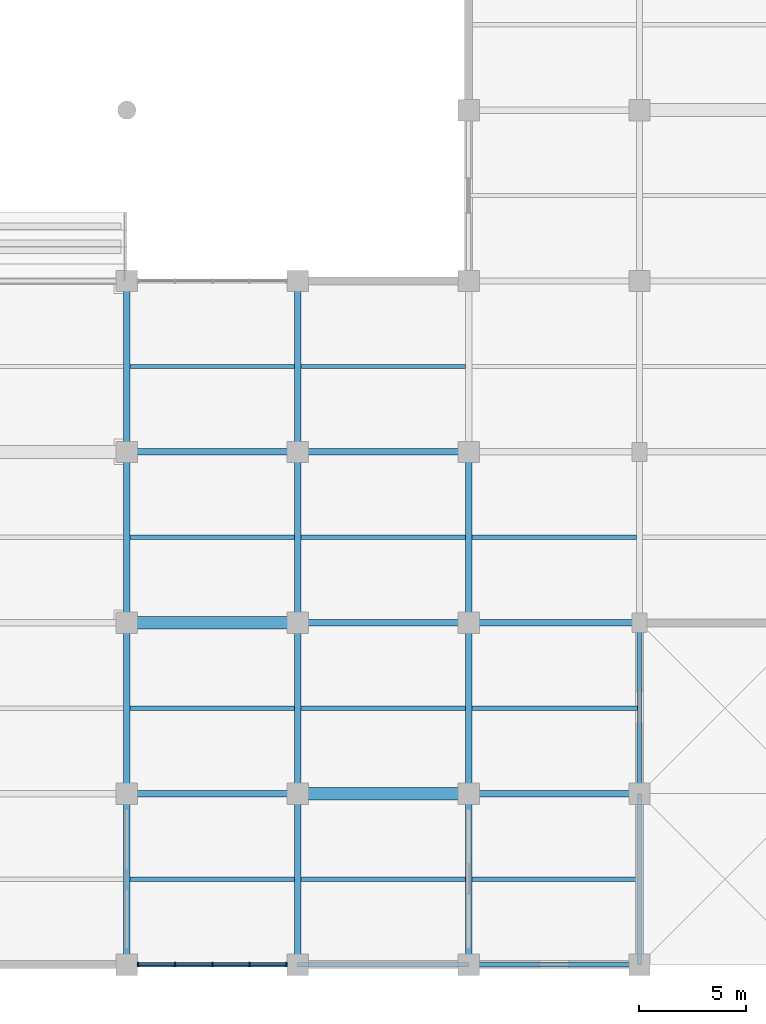
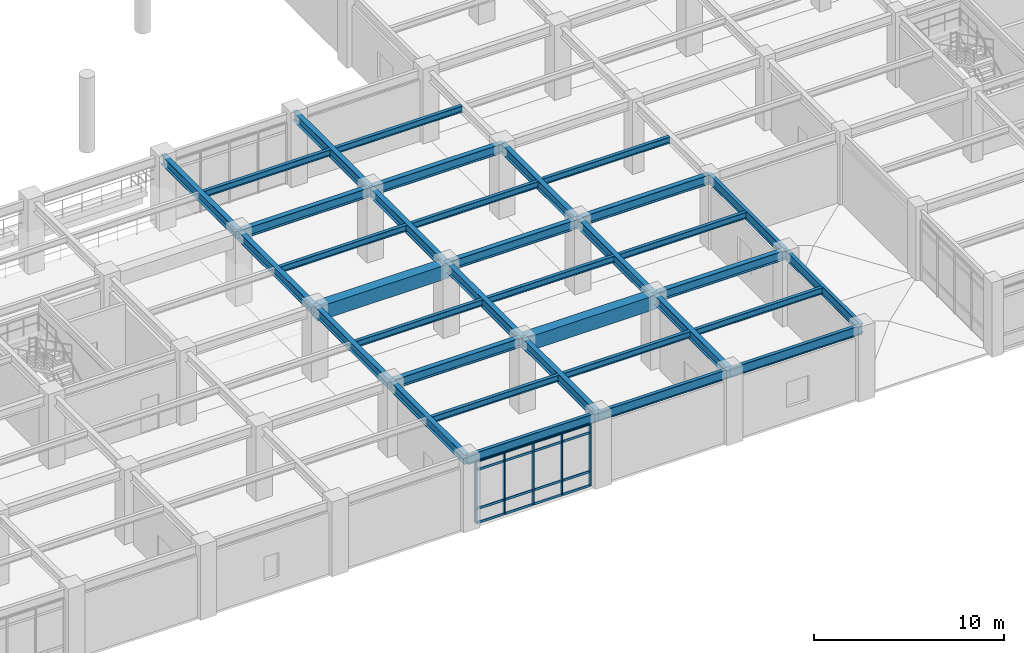
# One storey, part 25 of 117: 35 beams, 21 members, 1 element without a shape of its own.
"""IFC4 building model written with IfcOpenShell, lengths in metres."""

from ifc_helpers import new_model, si_unit, direction, frame, origin, origin_2d, place, context, subcontext, project, spatial, rectangle, i_section, extrude, material, layer, layer_set, material_profile, profile_set, type_object, element, aggregate, save


model = new_model("IFC4")

# Units and contexts
model_context = context("Model", 3, precision=1e-05, world=origin(), true_north=direction((0.0, 1.0)))
body_context = subcontext(model_context, "Body", "Model", "MODEL_VIEW")
ifc_project = project(units=[si_unit("LENGTHUNIT", "METRE"), si_unit("AREAUNIT", "SQUARE_METRE"), si_unit("VOLUMEUNIT", "CUBIC_METRE"), si_unit("PLANEANGLEUNIT", "RADIAN"), si_unit("MASSUNIT", "GRAM", prefix="KILO")], contexts=[model_context])

# Site, building, storey
site_placement = place(None, origin())
site = spatial("IfcSite", under=ifc_project, at=site_placement, CompositionType="ELEMENT")
building_placement = place(site_placement, origin())
building = spatial("IfcBuilding", under=site, at=building_placement, Name="Haebicheon Civic Stadium", CompositionType="ELEMENT")
storey_placement = place(building_placement, frame((0.0, 0.0, 4.800048828125)))
storey = spatial("IfcBuildingStorey", under=building, at=storey_placement, Name="L02", CompositionType="ELEMENT", Elevation=4.800048828125)

# Beams
ifc_material_1 = material(Name="Concrete C40/50", Category="concrete")
ifc_material_profile_1 = material_profile(ifc_material_1, rectangle(XDim=0.60009765625, YDim=0.89990234375, at=origin_2d()), Name="RC-BM-600x900")
ifc_profile_set_1 = profile_set([ifc_material_profile_1], Name="Concrete C40/50")
beam_type_1 = type_object("IfcBeamType", Name="BM-RC-600x900", PredefinedType="BEAM", material=ifc_profile_set_1)
for number, where, z_axis, x_axis, name in (
    (1, (128.0, 16.0, 4.070068359375), (1.0, 0.0, 0.0), (0.0, 1.0, 0.0), "L02 beam C/17-18"),
    (2, (136.0, 8.0, 4.1298828125), (1.0, 0.0, 0.0), (0.0, 1.0, 0.0), "L02 beam B/18-19"),
):
    element("IfcBeam", number, at=place(storey_placement, frame(where, z_axis=z_axis, x_axis=x_axis)), inside=storey, type_object=beam_type_1, material=ifc_profile_set_1, Name=name, PredefinedType="BEAM", context=body_context, shape_type="SweptSolid", body=[
        extrude(rectangle(XDim=0.60009765625, YDim=0.89990234375, at=origin_2d()), origin(), (0.0, 0.0, 1.0), 8.0),
    ])
ifc_material_2 = material(Name="Steel SM355 (S355)", Category="steel")
ifc_material_profile_2 = material_profile(ifc_material_2, i_section(OverallWidth=0.300048828125, OverallDepth=0.60009765625, WebThickness=0.011962890625, FlangeThickness=0.02001953125, at=origin_2d()), Name="H-600x300x12x20")
ifc_profile_set_2 = profile_set([ifc_material_profile_2], Name="Steel SM355 (S355)")
beam_type_2 = type_object("IfcBeamType", Name="BM-ST-H600A", PredefinedType="BEAM", material=ifc_profile_set_2)
for number, where, z_axis, x_axis, name in (
    (3, (128.0, 0.0, 4.280029296875), (0.0, 1.0, 0.0), (-1.0, 0.0, 0.0), "L02 girder 17/A-B"),
    (4, (128.0, 8.0, 4.280029296875), (0.0, 1.0, 0.0), (-1.0, 0.0, 0.0), "L02 girder 17/B-C"),
    (5, (128.0, 16.0, 4.219970703125), (0.0, 1.0, 0.0), (-1.0, 0.0, 0.0), "L02 girder 17/C-D"),
    (6, (128.0, 24.0, 4.219970703125), (0.0, 1.0, 0.0), (-1.0, 0.0, 0.0), "L02 girder 17/D-E"),
    (7, (136.0, 0.0, 4.280029296875), (0.0, 1.0, 0.0), (-1.0, 0.0, 0.0), "L02 girder 18/A-B"),
    (8, (136.0, 8.0, 4.280029296875), (0.0, 1.0, 0.0), (-1.0, 0.0, 0.0), "L02 girder 18/B-C"),
    (9, (136.0, 16.0, 4.219970703125), (0.0, 1.0, 0.0), (-1.0, 0.0, 0.0), "L02 girder 18/C-D"),
    (10, (136.0, 24.0, 4.219970703125), (0.0, 1.0, 0.0), (-1.0, 0.0, 0.0), "L02 girder 18/D-E"),
    (11, (144.0, 0.0, 4.280029296875), (0.0, 1.0, 0.0), (-1.0, 0.0, 0.0), "L02 girder 19/A-B"),
    (12, (144.0, 8.0, 4.280029296875), (0.0, 1.0, 0.0), (-1.0, 0.0, 0.0), "L02 girder 19/B-C"),
    (13, (144.0, 16.0, 4.219970703125), (0.0, 1.0, 0.0), (-1.0, 0.0, 0.0), "L02 girder 19/C-D"),
    (14, (128.0, 8.0, 4.280029296875), (1.0, 0.0, 0.0), (0.0, 1.0, 0.0), "L02 beam B/17-18"),
    (15, (128.0, 24.0, 4.219970703125), (1.0, 0.0, 0.0), (0.0, 1.0, 0.0), "L02 beam D/17-18"),
    (16, (136.0, 16.0, 4.219970703125), (1.0, 0.0, 0.0), (0.0, 1.0, 0.0), "L02 beam C/18-19"),
    (17, (136.0, 24.0, 4.219970703125), (1.0, 0.0, 0.0), (0.0, 1.0, 0.0), "L02 beam D/18-19"),
    (18, (144.0, 8.0, 4.280029296875), (1.0, 0.0, 0.0), (0.0, 1.0, 0.0), "L02 beam B/19-20"),
    (19, (144.0, 16.0, 4.280029296875), (1.0, 0.0, 0.0), (0.0, 1.0, 0.0), "L02 beam C/19-20"),
):
    element("IfcBeam", number, at=place(storey_placement, frame(where, z_axis=z_axis, x_axis=x_axis)), inside=storey, type_object=beam_type_2, material=ifc_profile_set_2, Name=name, PredefinedType="BEAM", context=body_context, shape_type="SweptSolid", body=[
        extrude(i_section(OverallWidth=0.300048828125, OverallDepth=0.60009765625, WebThickness=0.011962890625, FlangeThickness=0.02001953125, at=origin_2d()), origin(), (0.0, 0.0, 1.0), 8.0),
    ])

# Curtain wall, members
ifc_material_3 = material(Name="Anodised aluminium and laminated glass", Category="aluminium")
ifc_layer = layer(ifc_material_3, 0.179931640625, Name="Anodised aluminium and laminated glass")
ifc_layer_set = layer_set([ifc_layer], Name="Anodised aluminium and laminated glass")
curtain_wall_type = type_object("IfcCurtainWallType", Name="CW-7000x3950", PredefinedType="NOTDEFINED", material=ifc_layer_set)
curtain_wall_placement = place(storey_placement, origin())
curtain_wall = element("IfcCurtainWall", 20, at=curtain_wall_placement, inside=storey, type_object=curtain_wall_type, material=ifc_layer_set, Name="L02 unitised curtain wall 049", PredefinedType="NOTDEFINED")
ifc_material_4 = material(Name="Anodised aluminium 6063-T6", Category="aluminium")
ifc_material_profile_3 = material_profile(ifc_material_4, rectangle(XDim=0.070068359375, YDim=0.199951171875, at=origin_2d()), Name="ALU-MULL-70x200")
ifc_profile_set_3 = profile_set([ifc_material_profile_3], Name="Anodised aluminium 6063-T6")
member_type_1 = type_object("IfcMemberType", Name="CWM-200x70", PredefinedType="MULLION", material=ifc_profile_set_3)
member_1_placement = place(storey_placement, frame((128.534912109375, 0.0, 0.0), z_axis=(0.0, 0.0, 1.0), x_axis=(1.0, 0.0, 0.0)))
member_1 = element("IfcMember", 21, at=member_1_placement, type_object=member_type_1, material=ifc_profile_set_3, Name="CW-L02-049 vertical mullion 1", PredefinedType="MULLION", context=body_context, shape_type="SweptSolid", body=[
    extrude(rectangle(XDim=0.070068359375, YDim=0.199951171875, at=origin_2d()), origin(), (0.0, 0.0, 1.0), 3.949951171875),
])
member_2_placement = place(storey_placement, frame((130.25, 0.0, 0.0), z_axis=(0.0, 0.0, 1.0), x_axis=(1.0, 0.0, 0.0)))
member_2 = element("IfcMember", 22, at=member_2_placement, type_object=member_type_1, material=ifc_profile_set_3, Name="CW-L02-049 vertical mullion 2", PredefinedType="MULLION", context=body_context, shape_type="SweptSolid", body=[
    extrude(rectangle(XDim=0.070068359375, YDim=0.199951171875, at=origin_2d()), origin(), (0.0, 0.0, 1.0), 3.949951171875),
])
member_3_placement = place(storey_placement, frame((132.0, 0.0, 0.0), z_axis=(0.0, 0.0, 1.0), x_axis=(1.0, 0.0, 0.0)))
member_3 = element("IfcMember", 23, at=member_3_placement, type_object=member_type_1, material=ifc_profile_set_3, Name="CW-L02-049 vertical mullion 3", PredefinedType="MULLION", context=body_context, shape_type="SweptSolid", body=[
    extrude(rectangle(XDim=0.070068359375, YDim=0.199951171875, at=origin_2d()), origin(), (0.0, 0.0, 1.0), 3.949951171875),
])
member_4_placement = place(storey_placement, frame((133.75, 0.0, 0.0), z_axis=(0.0, 0.0, 1.0), x_axis=(1.0, 0.0, 0.0)))
member_4 = element("IfcMember", 24, at=member_4_placement, type_object=member_type_1, material=ifc_profile_set_3, Name="CW-L02-049 vertical mullion 4", PredefinedType="MULLION", context=body_context, shape_type="SweptSolid", body=[
    extrude(rectangle(XDim=0.070068359375, YDim=0.199951171875, at=origin_2d()), origin(), (0.0, 0.0, 1.0), 3.949951171875),
])
member_5_placement = place(storey_placement, frame((135.465087890625, 0.0, 0.0), z_axis=(0.0, 0.0, 1.0), x_axis=(1.0, 0.0, 0.0)))
member_5 = element("IfcMember", 25, at=member_5_placement, type_object=member_type_1, material=ifc_profile_set_3, Name="CW-L02-049 vertical mullion 5", PredefinedType="MULLION", context=body_context, shape_type="SweptSolid", body=[
    extrude(rectangle(XDim=0.070068359375, YDim=0.199951171875, at=origin_2d()), origin(), (0.0, 0.0, 1.0), 3.949951171875),
])
ifc_material_5 = material(Name="Anodised aluminium 6063-T6", Category="aluminium")
ifc_material_profile_4 = material_profile(ifc_material_5, rectangle(XDim=0.070068359375, YDim=0.14990234375, at=origin_2d()), Name="ALU-TRAN-70x150")
ifc_profile_set_4 = profile_set([ifc_material_profile_4], Name="Anodised aluminium 6063-T6")
member_type_2 = type_object("IfcMemberType", Name="CWT-150x70", PredefinedType="NOTDEFINED", material=ifc_profile_set_4)
member_6_placement = place(storey_placement, frame((128.570068359375, 0.0, 0.0), z_axis=(1.0, 0.0, 0.0), x_axis=(0.0, 1.0, 0.0)))
member_6 = element("IfcMember", 26, at=member_6_placement, type_object=member_type_2, material=ifc_profile_set_4, Name="CW-L02-049 horizontal transom 1.1", ObjectType="TRANSOM", PredefinedType="USERDEFINED", context=body_context, shape_type="SweptSolid", body=[
    extrude(rectangle(XDim=0.070068359375, YDim=0.14990234375, at=origin_2d()), origin(), (0.0, 0.0, 1.0), 1.64501953125),
])
member_7_placement = place(storey_placement, frame((128.570068359375, 0.0, 0.89990234375), z_axis=(1.0, 0.0, 0.0), x_axis=(0.0, 1.0, 0.0)))
member_7 = element("IfcMember", 27, at=member_7_placement, type_object=member_type_2, material=ifc_profile_set_4, Name="CW-L02-049 horizontal transom 1.2", ObjectType="TRANSOM", PredefinedType="USERDEFINED", context=body_context, shape_type="SweptSolid", body=[
    extrude(rectangle(XDim=0.070068359375, YDim=0.14990234375, at=origin_2d()), origin(), (0.0, 0.0, 1.0), 1.64501953125),
])
member_8_placement = place(storey_placement, frame((128.570068359375, 0.0, 3.39990234375), z_axis=(1.0, 0.0, 0.0), x_axis=(0.0, 1.0, 0.0)))
member_8 = element("IfcMember", 28, at=member_8_placement, type_object=member_type_2, material=ifc_profile_set_4, Name="CW-L02-049 horizontal transom 1.3", ObjectType="TRANSOM", PredefinedType="USERDEFINED", context=body_context, shape_type="SweptSolid", body=[
    extrude(rectangle(XDim=0.070068359375, YDim=0.14990234375, at=origin_2d()), origin(), (0.0, 0.0, 1.0), 1.64501953125),
])
member_9_placement = place(storey_placement, frame((128.570068359375, 0.0, 3.949951171875), z_axis=(1.0, 0.0, 0.0), x_axis=(0.0, 1.0, 0.0)))
member_9 = element("IfcMember", 29, at=member_9_placement, type_object=member_type_2, material=ifc_profile_set_4, Name="CW-L02-049 horizontal transom 1.4", ObjectType="TRANSOM", PredefinedType="USERDEFINED", context=body_context, shape_type="SweptSolid", body=[
    extrude(rectangle(XDim=0.070068359375, YDim=0.14990234375, at=origin_2d()), origin(), (0.0, 0.0, 1.0), 1.64501953125),
])
member_10_placement = place(storey_placement, frame((130.284912109375, 0.0, 0.0), z_axis=(1.0, 0.0, 0.0), x_axis=(0.0, 1.0, 0.0)))
member_10 = element("IfcMember", 30, at=member_10_placement, type_object=member_type_2, material=ifc_profile_set_4, Name="CW-L02-049 horizontal transom 2.1", ObjectType="TRANSOM", PredefinedType="USERDEFINED", context=body_context, shape_type="SweptSolid", body=[
    extrude(rectangle(XDim=0.070068359375, YDim=0.14990234375, at=origin_2d()), origin(), (0.0, 0.0, 1.0), 1.68017578125),
])
member_11_placement = place(storey_placement, frame((130.284912109375, 0.0, 0.89990234375), z_axis=(1.0, 0.0, 0.0), x_axis=(0.0, 1.0, 0.0)))
member_11 = element("IfcMember", 31, at=member_11_placement, type_object=member_type_2, material=ifc_profile_set_4, Name="CW-L02-049 horizontal transom 2.2", ObjectType="TRANSOM", PredefinedType="USERDEFINED", context=body_context, shape_type="SweptSolid", body=[
    extrude(rectangle(XDim=0.070068359375, YDim=0.14990234375, at=origin_2d()), origin(), (0.0, 0.0, 1.0), 1.68017578125),
])
member_12_placement = place(storey_placement, frame((130.284912109375, 0.0, 3.39990234375), z_axis=(1.0, 0.0, 0.0), x_axis=(0.0, 1.0, 0.0)))
member_12 = element("IfcMember", 32, at=member_12_placement, type_object=member_type_2, material=ifc_profile_set_4, Name="CW-L02-049 horizontal transom 2.3", ObjectType="TRANSOM", PredefinedType="USERDEFINED", context=body_context, shape_type="SweptSolid", body=[
    extrude(rectangle(XDim=0.070068359375, YDim=0.14990234375, at=origin_2d()), origin(), (0.0, 0.0, 1.0), 1.68017578125),
])
member_13_placement = place(storey_placement, frame((130.284912109375, 0.0, 3.949951171875), z_axis=(1.0, 0.0, 0.0), x_axis=(0.0, 1.0, 0.0)))
member_13 = element("IfcMember", 33, at=member_13_placement, type_object=member_type_2, material=ifc_profile_set_4, Name="CW-L02-049 horizontal transom 2.4", ObjectType="TRANSOM", PredefinedType="USERDEFINED", context=body_context, shape_type="SweptSolid", body=[
    extrude(rectangle(XDim=0.070068359375, YDim=0.14990234375, at=origin_2d()), origin(), (0.0, 0.0, 1.0), 1.68017578125),
])
member_14_placement = place(storey_placement, frame((132.034912109375, 0.0, 0.0), z_axis=(1.0, 0.0, 0.0), x_axis=(0.0, 1.0, 0.0)))
member_14 = element("IfcMember", 34, at=member_14_placement, type_object=member_type_2, material=ifc_profile_set_4, Name="CW-L02-049 horizontal transom 3.1", ObjectType="TRANSOM", PredefinedType="USERDEFINED", context=body_context, shape_type="SweptSolid", body=[
    extrude(rectangle(XDim=0.070068359375, YDim=0.14990234375, at=origin_2d()), origin(), (0.0, 0.0, 1.0), 1.68017578125),
])
member_15_placement = place(storey_placement, frame((132.034912109375, 0.0, 0.89990234375), z_axis=(1.0, 0.0, 0.0), x_axis=(0.0, 1.0, 0.0)))
member_15 = element("IfcMember", 35, at=member_15_placement, type_object=member_type_2, material=ifc_profile_set_4, Name="CW-L02-049 horizontal transom 3.2", ObjectType="TRANSOM", PredefinedType="USERDEFINED", context=body_context, shape_type="SweptSolid", body=[
    extrude(rectangle(XDim=0.070068359375, YDim=0.14990234375, at=origin_2d()), origin(), (0.0, 0.0, 1.0), 1.68017578125),
])
member_16_placement = place(storey_placement, frame((132.034912109375, 0.0, 3.39990234375), z_axis=(1.0, 0.0, 0.0), x_axis=(0.0, 1.0, 0.0)))
member_16 = element("IfcMember", 36, at=member_16_placement, type_object=member_type_2, material=ifc_profile_set_4, Name="CW-L02-049 horizontal transom 3.3", ObjectType="TRANSOM", PredefinedType="USERDEFINED", context=body_context, shape_type="SweptSolid", body=[
    extrude(rectangle(XDim=0.070068359375, YDim=0.14990234375, at=origin_2d()), origin(), (0.0, 0.0, 1.0), 1.68017578125),
])
member_17_placement = place(storey_placement, frame((132.034912109375, 0.0, 3.949951171875), z_axis=(1.0, 0.0, 0.0), x_axis=(0.0, 1.0, 0.0)))
member_17 = element("IfcMember", 37, at=member_17_placement, type_object=member_type_2, material=ifc_profile_set_4, Name="CW-L02-049 horizontal transom 3.4", ObjectType="TRANSOM", PredefinedType="USERDEFINED", context=body_context, shape_type="SweptSolid", body=[
    extrude(rectangle(XDim=0.070068359375, YDim=0.14990234375, at=origin_2d()), origin(), (0.0, 0.0, 1.0), 1.68017578125),
])
member_18_placement = place(storey_placement, frame((133.784912109375, 0.0, 0.0), z_axis=(1.0, 0.0, 0.0), x_axis=(0.0, 1.0, 0.0)))
member_18 = element("IfcMember", 38, at=member_18_placement, type_object=member_type_2, material=ifc_profile_set_4, Name="CW-L02-049 horizontal transom 4.1", ObjectType="TRANSOM", PredefinedType="USERDEFINED", context=body_context, shape_type="SweptSolid", body=[
    extrude(rectangle(XDim=0.070068359375, YDim=0.14990234375, at=origin_2d()), origin(), (0.0, 0.0, 1.0), 1.64501953125),
])
member_19_placement = place(storey_placement, frame((133.784912109375, 0.0, 0.89990234375), z_axis=(1.0, 0.0, 0.0), x_axis=(0.0, 1.0, 0.0)))
member_19 = element("IfcMember", 39, at=member_19_placement, type_object=member_type_2, material=ifc_profile_set_4, Name="CW-L02-049 horizontal transom 4.2", ObjectType="TRANSOM", PredefinedType="USERDEFINED", context=body_context, shape_type="SweptSolid", body=[
    extrude(rectangle(XDim=0.070068359375, YDim=0.14990234375, at=origin_2d()), origin(), (0.0, 0.0, 1.0), 1.64501953125),
])
member_20_placement = place(storey_placement, frame((133.784912109375, 0.0, 3.39990234375), z_axis=(1.0, 0.0, 0.0), x_axis=(0.0, 1.0, 0.0)))
member_20 = element("IfcMember", 40, at=member_20_placement, type_object=member_type_2, material=ifc_profile_set_4, Name="CW-L02-049 horizontal transom 4.3", ObjectType="TRANSOM", PredefinedType="USERDEFINED", context=body_context, shape_type="SweptSolid", body=[
    extrude(rectangle(XDim=0.070068359375, YDim=0.14990234375, at=origin_2d()), origin(), (0.0, 0.0, 1.0), 1.64501953125),
])
member_21_placement = place(storey_placement, frame((133.784912109375, 0.0, 3.949951171875), z_axis=(1.0, 0.0, 0.0), x_axis=(0.0, 1.0, 0.0)))
member_21 = element("IfcMember", 41, at=member_21_placement, type_object=member_type_2, material=ifc_profile_set_4, Name="CW-L02-049 horizontal transom 4.4", ObjectType="TRANSOM", PredefinedType="USERDEFINED", context=body_context, shape_type="SweptSolid", body=[
    extrude(rectangle(XDim=0.070068359375, YDim=0.14990234375, at=origin_2d()), origin(), (0.0, 0.0, 1.0), 1.64501953125),
])
aggregate(curtain_wall, [member_1, member_2, member_3, member_4, member_5, member_6, member_7, member_8, member_9, member_10, member_11, member_12, member_13, member_14, member_15, member_16, member_17, member_18, member_19, member_20, member_21])

# Beams
ifc_material_6 = material(Name="Steel SM355 (S355)", Category="steel")
ifc_material_profile_5 = material_profile(ifc_material_6, i_section(OverallWidth=0.199951171875, OverallDepth=0.39990234375, WebThickness=0.008056640625, FlangeThickness=0.012939453125, at=origin_2d()), Name="H-400x200x8x13")
ifc_profile_set_5 = profile_set([ifc_material_profile_5], Name="Steel SM355 (S355)")
beam_type_3 = type_object("IfcBeamType", Name="JST-ST-H400", PredefinedType="JOIST", material=ifc_profile_set_5)
for number, where, z_axis, x_axis, name in (
    (42, (128.14990234375, 4.0, 4.3798828125), (1.0, 0.0, 0.0), (0.0, 1.0, 0.0), "L02 secondary joist 16-00"),
    (43, (128.14990234375, 12.0, 4.3798828125), (1.0, 0.0, 0.0), (0.0, 1.0, 0.0), "L02 secondary joist 16-01"),
    (44, (128.14990234375, 20.0, 4.320068359375), (1.0, 0.0, 0.0), (0.0, 1.0, 0.0), "L02 secondary joist 16-02"),
    (45, (128.14990234375, 28.0, 4.320068359375), (1.0, 0.0, 0.0), (0.0, 1.0, 0.0), "L02 secondary joist 16-03"),
    (46, (136.14990234375, 4.0, 4.3798828125), (1.0, 0.0, 0.0), (0.0, 1.0, 0.0), "L02 secondary joist 17-00"),
    (47, (136.14990234375, 12.0, 4.3798828125), (1.0, 0.0, 0.0), (0.0, 1.0, 0.0), "L02 secondary joist 17-01"),
    (48, (136.14990234375, 20.0, 4.320068359375), (1.0, 0.0, 0.0), (0.0, 1.0, 0.0), "L02 secondary joist 17-02"),
    (49, (136.14990234375, 28.0, 4.320068359375), (1.0, 0.0, 0.0), (0.0, 1.0, 0.0), "L02 secondary joist 17-03"),
):
    element("IfcBeam", number, at=place(storey_placement, frame(where, z_axis=z_axis, x_axis=x_axis)), inside=storey, type_object=beam_type_3, material=ifc_profile_set_5, Name=name, PredefinedType="JOIST", context=body_context, shape_type="SweptSolid", body=[
        extrude(i_section(OverallWidth=0.199951171875, OverallDepth=0.39990234375, WebThickness=0.008056640625, FlangeThickness=0.012939453125, at=origin_2d()), origin(), (0.0, 0.0, 1.0), 7.7001953125),
    ])
for number, where, z_axis, x_axis, name in (
    (50, (144.14990234375, 4.0, 4.3798828125), (1.0, 0.0, 0.0), (0.0, 1.0, 0.0), "L02 secondary joist 18-00"),
    (51, (144.14990234375, 12.0, 4.3798828125), (1.0, 0.0, 0.0), (0.0, 1.0, 0.0), "L02 secondary joist 18-01"),
):
    element("IfcBeam", number, at=place(storey_placement, frame(where, z_axis=z_axis, x_axis=x_axis)), inside=storey, type_object=beam_type_3, material=ifc_profile_set_5, Name=name, PredefinedType="JOIST", context=body_context, shape_type="SweptSolid", body=[
        extrude(i_section(OverallWidth=0.199951171875, OverallDepth=0.39990234375, WebThickness=0.008056640625, FlangeThickness=0.012939453125, at=origin_2d()), origin(), (0.0, 0.0, 1.0), 7.75),
    ])
beam_placement = place(storey_placement, frame((144.14990234375, 20.0, 4.3798828125), z_axis=(1.0, 0.0, 0.0), x_axis=(0.0, 1.0, 0.0)))
element("IfcBeam", 52, at=beam_placement, inside=storey, type_object=beam_type_3, material=ifc_profile_set_5, Name="L02 secondary joist 18-02", PredefinedType="JOIST", context=body_context, shape_type="SweptSolid", body=[
    extrude(i_section(OverallWidth=0.199951171875, OverallDepth=0.39990234375, WebThickness=0.008056640625, FlangeThickness=0.012939453125, at=origin_2d()), origin(), (0.0, 0.0, 1.0), 7.7001953125),
])
ifc_material_7 = material(Name="Steel SM355 (S355)", Category="steel")
ifc_material_profile_6 = material_profile(ifc_material_7, i_section(OverallWidth=0.199951171875, OverallDepth=0.60009765625, WebThickness=0.010986328125, FlangeThickness=0.01708984375, at=origin_2d()), Name="H-600x200x11x17")
ifc_profile_set_6 = profile_set([ifc_material_profile_6], Name="Steel SM355 (S355)")
beam_type_4 = type_object("IfcBeamType", Name="SPD-ST-H600B", PredefinedType="SPANDREL", material=ifc_profile_set_6)
for number, where, z_axis, x_axis, name in (
    (53, (152.0, 0.0, 4.280029296875), (0.0, 1.0, 0.0), (-1.0, 0.0, 0.0), "L02 girder 20/A-B"),
    (54, (152.0, 8.0, 4.280029296875), (0.0, 1.0, 0.0), (-1.0, 0.0, 0.0), "L02 girder 20/B-C"),
    (55, (128.0, 0.0, 4.280029296875), (1.0, 0.0, 0.0), (0.0, 1.0, 0.0), "L02 beam A/17-18"),
    (56, (136.0, 0.0, 4.280029296875), (1.0, 0.0, 0.0), (0.0, 1.0, 0.0), "L02 beam A/18-19"),
    (57, (144.0, 0.0, 4.280029296875), (1.0, 0.0, 0.0), (0.0, 1.0, 0.0), "L02 beam A/19-20"),
):
    element("IfcBeam", number, at=place(storey_placement, frame(where, z_axis=z_axis, x_axis=x_axis)), inside=storey, type_object=beam_type_4, material=ifc_profile_set_6, Name=name, PredefinedType="SPANDREL", context=body_context, shape_type="SweptSolid", body=[
        extrude(i_section(OverallWidth=0.199951171875, OverallDepth=0.60009765625, WebThickness=0.010986328125, FlangeThickness=0.01708984375, at=origin_2d()), origin(), (0.0, 0.0, 1.0), 8.0),
    ])

save(model, "model.ifc")
